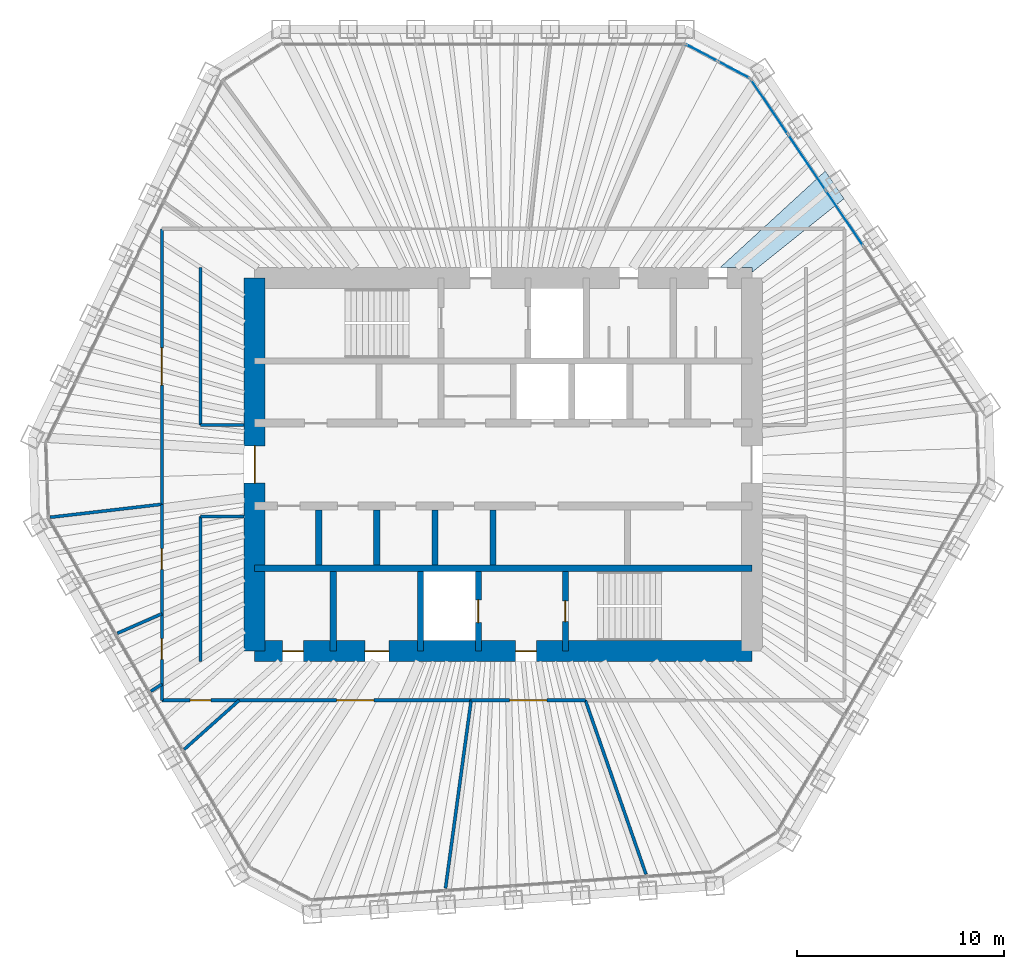
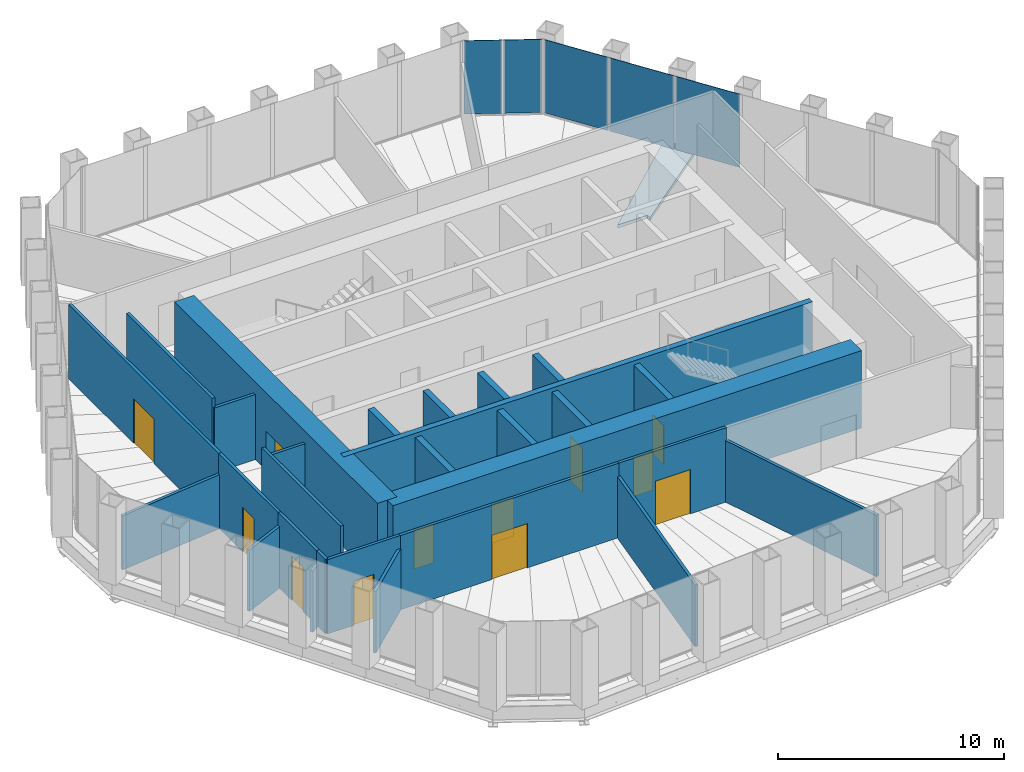
# One storey, part 11 of 14: 28 walls, 12 doors, 5 plates, 1 slab, 12 openings, 2 elements without a shape of their own.
"""IFC4 building model written with IfcOpenShell, lengths in metres."""

import ifcopenshell
import ifcopenshell.guid

model = None  # the IFC model being written
_history = None  # IfcOwnerHistory: only IFC2X3 demands one
_inside = {}  # id of a spatial element -> (the spatial element, [elements in it])
_under = {}  # id of a project, library or spatial element -> (it, [spatial elements below it])
_declared = {}  # id of a project -> (the project, [libraries it declares])
_typed = {}  # id of a type object -> (the type object, [elements of that type])
_made_of = {}  # id of a material, layer set ... -> (it, [elements and type objects made of it])


def new_model(schema):
    """Start an empty IFC model of exactly this schema.

    Asked for "IFC4X3", IfcOpenShell would pick the latest addendum, in which some entities
    have other attributes; the version numbers below select the first issue.
    IFC2X3 requires an IfcOwnerHistory on every rooted entity: one is made here for all.
    """
    global model, _history
    if schema == "IFC4X3":
        model = ifcopenshell.file(schema_version=(4, 3, 0, 0))
    else:
        model = ifcopenshell.file(schema=schema)
    _inside.clear()
    _under.clear()
    _declared.clear()
    _typed.clear()
    _made_of.clear()
    _history = None
    if model.schema == "IFC2X3":
        org = make("IfcOrganization", Name="unknown")
        user = make(
            "IfcPersonAndOrganization",
            ThePerson=make("IfcPerson", FamilyName="unknown"),
            TheOrganization=org,
        )
        app = make(
            "IfcApplication",
            ApplicationDeveloper=org,
            Version="unknown",
            ApplicationFullName="unknown",
            ApplicationIdentifier="unknown",
        )
        _history = make(
            "IfcOwnerHistory",
            OwningUser=user,
            OwningApplication=app,
            ChangeAction="ADDED",
            CreationDate=0,
        )
    return model


def make(cls, **values):
    """One entity of the class cls with the attributes given. An attribute that is None is left unset."""
    return model.create_entity(
        cls, **{name: value for name, value in values.items() if value is not None}
    )


def rooted(cls, **values):
    """An entity with a GlobalId (a new one), such as an element, a storey or a relation."""
    return make(cls, GlobalId=ifcopenshell.guid.new(), OwnerHistory=_history, **values)


def si_unit(unit_type, name, prefix=None):
    """IfcSIUnit, for example si_unit("LENGTHUNIT", "METRE", prefix="MILLI")."""
    return make("IfcSIUnit", UnitType=unit_type, Prefix=prefix, Name=name)


def assignment(units):
    """IfcUnitAssignment: the units of a project."""
    return None if units is None else make("IfcUnitAssignment", Units=units)


def point(xyz):
    """IfcCartesianPoint."""
    return None if xyz is None else make("IfcCartesianPoint", Coordinates=xyz)


def direction(xyz):
    """IfcDirection."""
    return None if xyz is None else make("IfcDirection", DirectionRatios=xyz)


def frame(location, z_axis=None, x_axis=None):
    """IfcAxis2Placement3D, a coordinate frame: its origin and axes. An axis left out is left unset."""
    return make(
        "IfcAxis2Placement3D",
        Location=point(location),
        Axis=direction(z_axis),
        RefDirection=direction(x_axis),
    )


def frame_2d(location, x_axis=None):
    """IfcAxis2Placement2D, a coordinate frame in the plane: its origin and x axis."""
    return make(
        "IfcAxis2Placement2D", Location=point(location), RefDirection=direction(x_axis)
    )


def origin():
    """The frame at (0, 0, 0) with its axes left unset."""
    return frame((0.0, 0.0, 0.0))


def origin_2d():
    """The frame at (0, 0) in the plane with its x axis left unset."""
    return frame_2d((0.0, 0.0))


def place(relative_to, where):
    """IfcLocalPlacement: puts the frame where relative to a parent placement (None: the world)."""
    return make(
        "IfcLocalPlacement", PlacementRelTo=relative_to, RelativePlacement=where
    )


def context(
    kind, dimensions, precision=None, world=None, true_north=None, identifier=None
):
    """IfcGeometricRepresentationContext, for example the 3D "Model" context."""
    return make(
        "IfcGeometricRepresentationContext",
        ContextIdentifier=identifier,
        ContextType=kind,
        CoordinateSpaceDimension=dimensions,
        Precision=precision,
        WorldCoordinateSystem=world,
        TrueNorth=true_north,
    )


def subcontext(parent, identifier, kind, view, scale=None):
    """IfcGeometricRepresentationSubContext, for example "Body" below "Model"."""
    return make(
        "IfcGeometricRepresentationSubContext",
        ContextIdentifier=identifier,
        ContextType=kind,
        ParentContext=parent,
        TargetScale=scale,
        TargetView=view,
    )


def project(units=None, contexts=None):
    """IfcProject with its units and contexts."""
    return rooted(
        "IfcProject",
        Name="project",
        RepresentationContexts=contexts,
        UnitsInContext=assignment(units),
    )


def spatial(cls, under=None, at=None, **own):
    """A site, building, storey or space (cls), placed at a placement, below another one or the project."""
    s = rooted(cls, ObjectPlacement=at, **own)
    if under is not None:
        _under.setdefault(under.id(), (under, []))[1].append(s)
    return s


def polyline(points):
    """IfcPolyline through the points."""
    return make("IfcPolyline", Points=[point(p) for p in points])


def profile(cls, at=None, kind="AREA", **sizes):
    """A parametric profile (cls). Its sizes go by their IFC names, for example OverallWidth=200.0."""
    return make(cls, ProfileType=kind, Position=at, **sizes)


def rectangle(**sizes):
    """IfcRectangleProfileDef."""
    return profile("IfcRectangleProfileDef", **sizes)


def outline(outer, holes=None, kind="AREA"):
    """IfcArbitraryClosedProfileDef: a profile drawn as a closed curve; with holes, ...WithVoids."""
    if holes is None:
        return make("IfcArbitraryClosedProfileDef", ProfileType=kind, OuterCurve=outer)
    return make(
        "IfcArbitraryProfileDefWithVoids",
        ProfileType=kind,
        OuterCurve=outer,
        InnerCurves=holes,
    )


def extrude(swept, where, along, depth):
    """IfcExtrudedAreaSolid: the profile swept, set in the frame where, extruded along a direction by depth."""
    return make(
        "IfcExtrudedAreaSolid",
        SweptArea=swept,
        Position=where,
        ExtrudedDirection=direction(along),
        Depth=depth,
    )


def shape(context_of_items, identifier, shape_type, items):
    """IfcShapeRepresentation: the items that make up one representation, for example the "Body"."""
    return make(
        "IfcShapeRepresentation",
        ContextOfItems=context_of_items,
        RepresentationIdentifier=identifier,
        RepresentationType=shape_type,
        Items=items,
    )


def material(Name=None, Category=None):
    """IfcMaterial."""
    return make("IfcMaterial", Name=Name, Category=Category)


def layer(
    of_material, thickness, ventilated=None, Name=None, Category=None, Priority=None
):
    """IfcMaterialLayer: one layer of a wall or slab, of a material (None: an air gap)."""
    return make(
        "IfcMaterialLayer",
        Material=of_material,
        LayerThickness=thickness,
        IsVentilated=ventilated,
        Name=Name,
        Category=Category,
        Priority=Priority,
    )


def layer_set(layers, Name=None):
    """IfcMaterialLayerSet."""
    return make("IfcMaterialLayerSet", MaterialLayers=layers, LayerSetName=Name)


def made_of(thing, what):
    """Note that an element or type object is made of a material, layer set ...; save() writes the relation."""
    if what is not None:
        _made_of.setdefault(what.id(), (what, []))[1].append(thing)
    return thing


def type_object(cls, material=None, **own):
    """A type object (cls), such as IfcWallType, which elements share."""
    return made_of(rooted(cls, **own), material)


def element(
    cls,
    number,
    at=None,
    inside=None,
    cuts=None,
    type_object=None,
    material=None,
    context=None,
    identifier="Body",
    shape_type=None,
    held_by="IfcProductDefinitionShape",
    body=None,
    shapes=None,
    **own,
):
    """One element of the class cls, such as IfcWall. Its Tag is "e" and its number.

    at: its placement. inside: the storey or other place that contains it. cuts: it is an
    opening in that element (IfcRelVoidsElement). A single representation is given by context,
    identifier, shape_type and body (its items); several are given by shapes. held_by: the class
    of the entity that holds the representations. save() writes the other relations.
    """
    e = rooted(cls, Tag="e%d" % number, ObjectPlacement=at, **own)
    if body is not None:
        shapes = [shape(context, identifier, shape_type, body)]
    if shapes is not None:
        e.Representation = make(held_by, Representations=shapes)
    if inside is not None:
        _inside.setdefault(inside.id(), (inside, []))[1].append(e)
    if cuts is not None:
        rooted(
            "IfcRelVoidsElement", RelatingBuildingElement=cuts, RelatedOpeningElement=e
        )
    if type_object is not None:
        _typed.setdefault(type_object.id(), (type_object, []))[1].append(e)
    return made_of(e, material)


def fill(opening, filler):
    """IfcRelFillsElement: the door or window that sits in an opening."""
    return rooted(
        "IfcRelFillsElement",
        RelatingOpeningElement=opening,
        RelatedBuildingElement=filler,
    )


def aggregate(whole, parts):
    """IfcRelAggregates: a whole, such as a stair, and the parts it consists of."""
    return rooted("IfcRelAggregates", RelatingObject=whole, RelatedObjects=parts)


def save(model, path):
    """Write the relations noted so far, then the file.

    IfcRelAggregates (storeys below a building ...), IfcRelContainedInSpatialStructure (elements
    in a storey), IfcRelDefinesByType, IfcRelAssociatesMaterial and IfcRelDeclares: one each for
    every whole, place, type object, material and project.
    """
    for whole, parts in _under.values():
        aggregate(whole, parts)
    for where, things in _inside.values():
        rooted(
            "IfcRelContainedInSpatialStructure",
            RelatedElements=things,
            RelatingStructure=where,
        )
    for kind, things in _typed.values():
        rooted("IfcRelDefinesByType", RelatedObjects=things, RelatingType=kind)
    for what, things in _made_of.values():
        rooted("IfcRelAssociatesMaterial", RelatedObjects=things, RelatingMaterial=what)
    for by, libraries in _declared.values():
        rooted("IfcRelDeclares", RelatingContext=by, RelatedDefinitions=libraries)
    model.write(path)


model = new_model("IFC4")

# Units and contexts
model_context = context("Model", 3, precision=1e-05, world=origin(), true_north=direction((0.0, 1.0)))
body_context = subcontext(model_context, "Body", "Model", "MODEL_VIEW")
ifc_project = project(units=[si_unit("LENGTHUNIT", "METRE"), si_unit("AREAUNIT", "SQUARE_METRE"), si_unit("VOLUMEUNIT", "CUBIC_METRE"), si_unit("PLANEANGLEUNIT", "RADIAN"), si_unit("MASSUNIT", "GRAM", prefix="KILO")], contexts=[model_context])

# Site, building, storey
site_placement = place(None, origin())
site = spatial("IfcSite", under=ifc_project, at=site_placement, CompositionType="ELEMENT")
building_placement = place(site_placement, origin())
building = spatial("IfcBuilding", under=site, at=building_placement, Name="Qingtian Harvest Tower", CompositionType="ELEMENT")
storey_placement = place(building_placement, frame((0.0, 0.0, 287.199951171875)))
storey = spatial("IfcBuildingStorey", under=building, at=storey_placement, Name="L63", CompositionType="ELEMENT", Elevation=287.199951171875)

# Slab
ifc_material_1 = material(Name="Concrete fc' 35 MPa", Category="concrete")
ifc_layer_1 = layer(ifc_material_1, 0.169921875)
ifc_layer_set_1 = layer_set([ifc_layer_1], Name="Composite floor slab FS17 170")
slab_type = type_object("IfcSlabType", Name="Composite floor slab FS17 170", PredefinedType="FLOOR", material=ifc_layer_set_1)
slab_placement = place(storey_placement, frame((0.0, 0.0, -0.169921875)))
element("IfcSlab", 1, at=slab_placement, inside=storey, type_object=slab_type, Name="Floor slab L63 panel D48", PredefinedType="FLOOR", context=body_context, shape_type="SweptSolid", body=[
    extrude(outline(polyline([(12.0, 9.5), (10.4599609375, 9.5), (15.541259765625, 14.16455078125), (16.44189453125, 12.829345703125), (12.0, 9.2734375), (12.0, 9.5)])), origin(), (0.0, 0.0, 1.0), 0.169921875),
])

# Curtain wall, plates
ifc_material_2 = material(Name="Bronze-anodised aluminium curtain wall", Category="aluminium")
curtain_wall_type = type_object("IfcCurtainWallType", Name="Curtain wall CW5 upper office", PredefinedType="USERDEFINED", material=ifc_material_2)
curtain_wall_1_placement = place(storey_placement, origin())
curtain_wall_1 = element("IfcCurtainWall", 2, at=curtain_wall_1_placement, inside=storey, type_object=curtain_wall_type, Name="Curtain wall CW5 L63 NC", ObjectType="RECESSED CURTAIN WALL", PredefinedType="USERDEFINED")
ifc_material_3 = material(Name="Bronze-tinted laminated insulating glass", Category="glass")
ifc_layer_2 = layer(ifc_material_3, 0.030029296875)
ifc_layer_set_2 = layer_set([ifc_layer_2], Name="Glazed panel CWP tinted IGU")
plate_type = type_object("IfcPlateType", Name="Glazed panel CWP tinted IGU", PredefinedType="CURTAIN_PANEL", material=ifc_layer_set_2)
plate_1_placement = place(storey_placement, frame((9.57080078125, 19.8720703125, 0.06494140625), z_axis=(0.0, 0.0, 1.0), x_axis=(0.882947592859, -0.469471562786, 0.0)))
plate_1 = element("IfcPlate", 3, at=plate_1_placement, type_object=plate_type, Name="CW5 panel 1.1", PredefinedType="CURTAIN_PANEL", context=body_context, shape_type="SweptSolid", body=[
    extrude(rectangle(XDim=1.69287109375, YDim=0.030029296875, at=origin_2d()), origin(), (0.0, 0.0, 1.0), 3.965087890625),
])
plate_2_placement = place(storey_placement, frame((11.122802734375, 19.046875, 0.06494140625), z_axis=(0.0, 0.0, 1.0), x_axis=(0.882947592859, -0.469471562786, 0.0)))
plate_2 = element("IfcPlate", 4, at=plate_2_placement, type_object=plate_type, Name="CW5 panel 2.1", PredefinedType="CURTAIN_PANEL", context=body_context, shape_type="SweptSolid", body=[
    extrude(rectangle(XDim=1.69287109375, YDim=0.030029296875, at=origin_2d()), origin(), (0.0, 0.0, 1.0), 3.965087890625),
])
aggregate(curtain_wall_1, [plate_1, plate_2])

curtain_wall_2_placement = place(storey_placement, origin())
curtain_wall_2 = element("IfcCurtainWall", 5, at=curtain_wall_2_placement, inside=storey, type_object=curtain_wall_type, Name="Curtain wall CW5 L63 NE0-5", ObjectType="RECESSED CURTAIN WALL", PredefinedType="USERDEFINED")
plate_3_placement = place(storey_placement, frame((12.844970703125, 17.259033203125, 0.06494140625), z_axis=(0.0, 0.0, 1.0), x_axis=(0.559192903471, -0.829037572555, 0.0)))
plate_3 = element("IfcPlate", 6, at=plate_3_placement, type_object=plate_type, Name="CW5 panel 1.1", PredefinedType="CURTAIN_PANEL", context=body_context, shape_type="SweptSolid", body=[
    extrude(rectangle(XDim=3.150634765625, YDim=0.030029296875, at=origin_2d()), origin(), (0.0, 0.0, 1.0), 3.965087890625),
])
plate_4_placement = place(storey_placement, frame((14.652099609375, 14.579833984375, 0.06494140625), z_axis=(0.0, 0.0, 1.0), x_axis=(0.559192903471, -0.829037572555, 0.0)))
plate_4 = element("IfcPlate", 7, at=plate_4_placement, type_object=plate_type, Name="CW5 panel 2.1", PredefinedType="CURTAIN_PANEL", context=body_context, shape_type="SweptSolid", body=[
    extrude(rectangle(XDim=3.18310546875, YDim=0.030029296875, at=origin_2d()), origin(), (0.0, 0.0, 1.0), 3.965087890625),
])
plate_5_placement = place(storey_placement, frame((16.46826171875, 11.886962890625, 0.06494140625), z_axis=(0.0, 0.0, 1.0), x_axis=(0.559192903471, -0.829037572555, 0.0)))
plate_5 = element("IfcPlate", 8, at=plate_5_placement, type_object=plate_type, Name="CW5 panel 3.1", PredefinedType="CURTAIN_PANEL", context=body_context, shape_type="SweptSolid", body=[
    extrude(rectangle(XDim=3.18310546875, YDim=0.030029296875, at=origin_2d()), origin(), (0.0, 0.0, 1.0), 3.965087890625),
])
aggregate(curtain_wall_2, [plate_3, plate_4, plate_5])

# Walls
ifc_material_4 = material(Name="Concrete fc' 70 MPa", Category="concrete")
ifc_layer_3 = layer(ifc_material_4, 0.300048828125)
ifc_layer_set_3 = layer_set([ifc_layer_3], Name="Core inner wall RC5 300")
wall_type_1 = type_object("IfcWallType", Name="Core inner wall RC5 300", PredefinedType="SHEAR", material=ifc_layer_set_3)
wall_1_placement = place(storey_placement, frame((-12.0, -5.0, 0.0), z_axis=(0.0, 0.0, 1.0), x_axis=(1.0, 0.0, 0.0)))
element("IfcWall", 9, at=wall_1_placement, inside=storey, type_object=wall_type_1, Name="Core wall IS5 L63", PredefinedType="SHEAR", context=body_context, shape_type="SweptSolid", body=[
    extrude(rectangle(XDim=24.0, YDim=0.300048828125, at=frame_2d((12.0, 0.0))), origin(), (0.0, 0.0, 1.0), 4.199951171875),
])
ifc_material_5 = material(Name="Precast concrete shaft panel", Category="concrete")
ifc_layer_4 = layer(ifc_material_5, 0.300048828125)
ifc_layer_set_4 = layer_set([ifc_layer_4], Name="Core shaft partition SW1 300")
wall_type_2 = type_object("IfcWallType", Name="Core shaft partition SW1 300", PredefinedType="PARTITIONING", material=ifc_layer_set_4)
for number, where, z_axis, x_axis, name in (
    (10, (-8.89990234375, -4.85009765625, 0.0), (0.0, 0.0, 1.0), (0.0, 1.0, 0.0), "Core shaft partition XB1 L63"),
    (11, (-6.10009765625, -4.85009765625, 0.0), (0.0, 0.0, 1.0), (0.0, 1.0, 0.0), "Core shaft partition XB2 L63"),
    (12, (-3.300048828125, -4.85009765625, 0.0), (0.0, 0.0, 1.0), (0.0, 1.0, 0.0), "Core shaft partition XB3 L63"),
    (13, (-0.5, -4.85009765625, 0.0), (0.0, 0.0, 1.0), (0.0, 1.0, 0.0), "Core shaft partition XB4 L63"),
):
    element("IfcWall", number, at=place(storey_placement, frame(where, z_axis=z_axis, x_axis=x_axis)), inside=storey, type_object=wall_type_2, Name=name, PredefinedType="PARTITIONING", context=body_context, shape_type="SweptSolid", body=[
        extrude(rectangle(XDim=2.650146484375, YDim=0.300048828125, at=frame_2d((1.3251953125, 0.0))), origin(), (0.0, 0.0, 1.0), 3.97998046875),
    ])
for number, where, z_axis, x_axis, name in (
    (14, (-8.199951171875, -9.0, 0.0), (0.0, 0.0, 1.0), (0.0, 1.0, 0.0), "Core shaft partition XS1 L63"),
    (15, (-4.0, -9.0, 0.0), (0.0, 0.0, 1.0), (0.0, 1.0, 0.0), "Core shaft partition XS2 L63"),
):
    element("IfcWall", number, at=place(storey_placement, frame(where, z_axis=z_axis, x_axis=x_axis)), inside=storey, type_object=wall_type_2, Name=name, PredefinedType="PARTITIONING", context=body_context, shape_type="SweptSolid", body=[
        extrude(rectangle(XDim=3.85009765625, YDim=0.300048828125, at=frame_2d((1.925048828125, 0.0))), origin(), (0.0, 0.0, 1.0), 3.97998046875),
    ])

# Wall, opening, door
wall_2_placement = place(storey_placement, frame((-1.199951171875, -9.0, 0.0), z_axis=(0.0, 0.0, 1.0), x_axis=(0.0, 1.0, 0.0)))
wall_2 = element("IfcWall", 16, at=wall_2_placement, inside=storey, type_object=wall_type_2, Name="Core shaft partition XS3 L63", PredefinedType="PARTITIONING", context=body_context, shape_type="SweptSolid", body=[
    extrude(rectangle(XDim=3.85009765625, YDim=0.300048828125, at=frame_2d((1.925048828125, 0.0))), origin(), (0.0, 0.0, 1.0), 3.97998046875),
])
opening_1_placement = place(wall_2_placement, frame((1.375, 0.0, 0.0)))
opening_1 = element("IfcOpeningElement", 17, at=opening_1_placement, cuts=wall_2, Name="Opening LD1", PredefinedType="OPENING", context=body_context, shape_type="SweptSolid", body=[
    extrude(rectangle(XDim=1.10009765625, YDim=2.39990234375, at=frame_2d((0.550048828125, 1.199951171875))), frame((0.0, 0.159912109375, 0.0), z_axis=(0.0, -1.0, 0.0), x_axis=(1.0, 0.0, 0.0)), (0.0, 0.0, 1.0), 0.320068359375),
])
ifc_material_6 = material(Name="Stainless steel lift landing door", Category="steel")
door_type_1 = type_object("IfcDoorType", Name="Lift landing door LD1 1 HR", OperationType="DOUBLE_DOOR_SLIDING", PredefinedType="DOOR", material=ifc_material_6)
door_1_placement = place(opening_1_placement, origin())
door_1 = element("IfcDoor", 18, at=door_1_placement, inside=storey, type_object=door_type_1, Name="FL2 landing door L63", OperationType="DOUBLE_DOOR_SLIDING", OverallHeight=2.39990234375, OverallWidth=1.10009765625, PredefinedType="DOOR", context=body_context, shape_type="SweptSolid", body=[
    extrude(rectangle(XDim=1.10009765625, YDim=2.39990234375, at=frame_2d((0.550048828125, 1.199951171875))), frame((0.0, 0.02490234375, 0.0), z_axis=(0.0, -1.0, 0.0), x_axis=(1.0, 0.0, 0.0)), (0.0, 0.0, 1.0), 0.050048828125),
])
fill(opening_1, door_1)

wall_3_placement = place(storey_placement, frame((3.0, -9.0, 0.0), z_axis=(0.0, 0.0, 1.0), x_axis=(0.0, 1.0, 0.0)))
wall_3 = element("IfcWall", 19, at=wall_3_placement, inside=storey, type_object=wall_type_2, Name="Core shaft partition XS4 L63", PredefinedType="PARTITIONING", context=body_context, shape_type="SweptSolid", body=[
    extrude(rectangle(XDim=3.85009765625, YDim=0.300048828125, at=frame_2d((1.925048828125, 0.0))), origin(), (0.0, 0.0, 1.0), 3.97998046875),
])
opening_2_placement = place(wall_3_placement, frame((1.425048828125, 0.0, 0.0)))
opening_2 = element("IfcOpeningElement", 20, at=opening_2_placement, cuts=wall_3, Name="Opening FD1", PredefinedType="OPENING", context=body_context, shape_type="SweptSolid", body=[
    extrude(rectangle(XDim=1.0, YDim=2.10009765625, at=frame_2d((0.5, 1.050048828125))), frame((0.0, 0.159912109375, 0.0), z_axis=(0.0, -1.0, 0.0), x_axis=(1.0, 0.0, 0.0)), (0.0, 0.0, 1.0), 0.320068359375),
])
ifc_material_7 = material(Name="Steel-faced door leaf", Category="steel")
door_type_2 = type_object("IfcDoorType", Name="Fire door FD1 single 1 HR", OperationType="SINGLE_SWING_LEFT", PredefinedType="DOOR", material=ifc_material_7)
door_2_placement = place(opening_2_placement, origin())
door_2 = element("IfcDoor", 21, at=door_2_placement, inside=storey, type_object=door_type_2, Name="S2 door L63", OperationType="SINGLE_SWING_LEFT", OverallHeight=2.10009765625, OverallWidth=1.0, PredefinedType="DOOR", context=body_context, shape_type="SweptSolid", body=[
    extrude(rectangle(XDim=1.0, YDim=2.10009765625, at=frame_2d((0.5, 1.050048828125))), frame((0.0, 0.02490234375, 0.0), z_axis=(0.0, -1.0, 0.0), x_axis=(1.0, 0.0, 0.0)), (0.0, 0.0, 1.0), 0.050048828125),
])
fill(opening_2, door_2)

# Wall, openings, doors
ifc_material_8 = material(Name="Concrete fc' 70 MPa", Category="concrete")
ifc_layer_5 = layer(ifc_material_8, 1.0)
ifc_layer_set_5 = layer_set([ifc_layer_5], Name="Core wall RC3 1000")
wall_type_3 = type_object("IfcWallType", Name="Core wall RC3 1000", PredefinedType="SHEAR", material=ifc_layer_set_5)
wall_4_placement = place(storey_placement, frame((-12.0, -9.0, 0.0), z_axis=(0.0, 0.0, 1.0), x_axis=(1.0, 0.0, 0.0)))
wall_4 = element("IfcWall", 22, at=wall_4_placement, inside=storey, type_object=wall_type_3, Name="Core wall CS L63", PredefinedType="SHEAR", context=body_context, shape_type="SweptSolid", body=[
    extrude(rectangle(XDim=24.0, YDim=1.0, at=frame_2d((12.0, 0.0))), origin(), (0.0, 0.0, 1.0), 4.199951171875),
])
opening_3_placement = place(wall_4_placement, frame((1.35009765625, 0.0, 0.0)))
opening_3 = element("IfcOpeningElement", 23, at=opening_3_placement, cuts=wall_4, Name="Opening FD1", PredefinedType="OPENING", context=body_context, shape_type="SweptSolid", body=[
    extrude(rectangle(XDim=1.0, YDim=2.10009765625, at=frame_2d((0.5, 1.050048828125))), frame((0.0, 0.510009765625, 0.0), z_axis=(0.0, -1.0, 0.0), x_axis=(1.0, 0.0, 0.0)), (0.0, 0.0, 1.0), 1.02001953125),
])
opening_4_placement = place(wall_4_placement, frame((5.324951171875, 0.0, 0.0)))
opening_4 = element("IfcOpeningElement", 24, at=opening_4_placement, cuts=wall_4, Name="Opening AD1", PredefinedType="OPENING", context=body_context, shape_type="SweptSolid", body=[
    extrude(rectangle(XDim=1.14990234375, YDim=2.10009765625, at=frame_2d((0.574951171875, 1.050048828125))), frame((0.0, 0.510009765625, 0.0), z_axis=(0.0, -1.0, 0.0), x_axis=(1.0, 0.0, 0.0)), (0.0, 0.0, 1.0), 1.02001953125),
])
opening_5_placement = place(wall_4_placement, frame((12.60009765625, 0.0, 0.0)))
opening_5 = element("IfcOpeningElement", 25, at=opening_5_placement, cuts=wall_4, Name="Opening FD1", PredefinedType="OPENING", context=body_context, shape_type="SweptSolid", body=[
    extrude(rectangle(XDim=1.0, YDim=2.10009765625, at=frame_2d((0.5, 1.050048828125))), frame((0.0, 0.510009765625, 0.0), z_axis=(0.0, -1.0, 0.0), x_axis=(1.0, 0.0, 0.0)), (0.0, 0.0, 1.0), 1.02001953125),
])
ifc_material_9 = material(Name="Laminated timber door leaf", Category="wood")
door_type_3 = type_object("IfcDoorType", Name="Accessible WC door AD1 single", OperationType="SINGLE_SWING_LEFT", PredefinedType="DOOR", material=ifc_material_9)
door_3_placement = place(opening_4_placement, origin())
door_3 = element("IfcDoor", 26, at=door_3_placement, inside=storey, type_object=door_type_3, Name="AWC door L63", OperationType="SINGLE_SWING_RIGHT", OverallHeight=2.10009765625, OverallWidth=1.14990234375, PredefinedType="DOOR", context=body_context, shape_type="SweptSolid", body=[
    extrude(rectangle(XDim=1.14990234375, YDim=2.10009765625, at=frame_2d((0.574951171875, 1.050048828125))), frame((0.0, 0.02490234375, 0.0), z_axis=(0.0, -1.0, 0.0), x_axis=(1.0, 0.0, 0.0)), (0.0, 0.0, 1.0), 0.050048828125),
])
fill(opening_4, door_3)
door_4_placement = place(opening_3_placement, origin())
door_4 = element("IfcDoor", 27, at=door_4_placement, inside=storey, type_object=door_type_2, Name="CLN door L63", OperationType="SINGLE_SWING_LEFT", OverallHeight=2.10009765625, OverallWidth=1.0, PredefinedType="DOOR", context=body_context, shape_type="SweptSolid", body=[
    extrude(rectangle(XDim=1.0, YDim=2.10009765625, at=frame_2d((0.5, 1.050048828125))), frame((0.0, 0.02490234375, 0.0), z_axis=(0.0, -1.0, 0.0), x_axis=(1.0, 0.0, 0.0)), (0.0, 0.0, 1.0), 0.050048828125),
])
fill(opening_3, door_4)
door_5_placement = place(opening_5_placement, origin())
door_5 = element("IfcDoor", 28, at=door_5_placement, inside=storey, type_object=door_type_2, Name="V2 door L63", OperationType="SINGLE_SWING_LEFT", OverallHeight=2.10009765625, OverallWidth=1.0, PredefinedType="DOOR", context=body_context, shape_type="SweptSolid", body=[
    extrude(rectangle(XDim=1.0, YDim=2.10009765625, at=frame_2d((0.5, 1.050048828125))), frame((0.0, 0.02490234375, 0.0), z_axis=(0.0, -1.0, 0.0), x_axis=(1.0, 0.0, 0.0)), (0.0, 0.0, 1.0), 0.050048828125),
])
fill(opening_5, door_5)

# Wall, opening, door
wall_5_placement = place(storey_placement, frame((-12.0, -9.0, 0.0), z_axis=(0.0, 0.0, 1.0), x_axis=(0.0, 1.0, 0.0)))
wall_5 = element("IfcWall", 29, at=wall_5_placement, inside=storey, type_object=wall_type_3, Name="Core wall CW L63", PredefinedType="SHEAR", context=body_context, shape_type="SweptSolid", body=[
    extrude(rectangle(XDim=18.0, YDim=1.0, at=frame_2d((9.0, 0.0))), origin(), (0.0, 0.0, 1.0), 4.199951171875),
])
opening_6_placement = place(wall_5_placement, frame((8.10009765625, 0.0, 0.0)))
opening_6 = element("IfcOpeningElement", 30, at=opening_6_placement, cuts=wall_5, Name="Opening FD2", PredefinedType="OPENING", context=body_context, shape_type="SweptSolid", body=[
    extrude(rectangle(XDim=1.800048828125, YDim=2.10009765625, at=frame_2d((0.89990234375, 1.050048828125))), frame((0.0, 0.510009765625, 0.0), z_axis=(0.0, -1.0, 0.0), x_axis=(1.0, 0.0, 0.0)), (0.0, 0.0, 1.0), 1.02001953125),
])
ifc_material_10 = material(Name="Steel-faced door leaf", Category="steel")
door_type_4 = type_object("IfcDoorType", Name="Fire door FD2 double 1 HR", OperationType="DOUBLE_DOOR_DOUBLE_SWING", PredefinedType="DOOR", material=ifc_material_10)
door_6_placement = place(opening_6_placement, origin())
door_6 = element("IfcDoor", 31, at=door_6_placement, inside=storey, type_object=door_type_4, Name="LOBBY-W door L63", OperationType="DOUBLE_DOOR_DOUBLE_SWING", OverallHeight=2.10009765625, OverallWidth=1.800048828125, PredefinedType="DOOR", context=body_context, shape_type="SweptSolid", body=[
    extrude(rectangle(XDim=1.800048828125, YDim=2.10009765625, at=frame_2d((0.89990234375, 1.050048828125))), frame((0.0, 0.02490234375, 0.0), z_axis=(0.0, -1.0, 0.0), x_axis=(1.0, 0.0, 0.0)), (0.0, 0.0, 1.0), 0.050048828125),
])
fill(opening_6, door_6)

# Wall
ifc_material_11 = material(Name="Gypsum board on steel studs", Category="steel")
ifc_layer_6 = layer(ifc_material_11, 0.14990234375)
ifc_layer_set_6 = layer_set([ifc_layer_6], Name="Partition PT1 150")
wall_type_4 = type_object("IfcWallType", Name="Partition PT1 150", PredefinedType="PARTITIONING", material=ifc_layer_set_6)
wall_6_placement = place(storey_placement, frame((6.8876953125, -19.771240234375, 0.0), z_axis=(0.0, 0.0, 1.0), x_axis=(-0.328983865825, 0.944335542075, 0.0)))
element("IfcWall", 32, at=wall_6_placement, inside=storey, type_object=wall_type_4, Name="Test kitchen wall L63", PredefinedType="PARTITIONING", context=body_context, shape_type="SweptSolid", body=[
    extrude(rectangle(XDim=8.89111328125, YDim=0.14990234375, at=frame_2d((4.445556640625, 0.0))), origin(), (0.0, 0.0, 1.0), 3.330078125),
])

# Wall, opening, door
wall_7_placement = place(storey_placement, frame((3.962646484375, -11.375, 0.0), z_axis=(0.0, 0.0, 1.0), x_axis=(-1.0, 0.0, 0.0)))
wall_7 = element("IfcWall", 33, at=wall_7_placement, inside=storey, type_object=wall_type_4, Name="Test kitchen wall L63", PredefinedType="PARTITIONING", context=body_context, shape_type="SweptSolid", body=[
    extrude(rectangle(XDim=5.5126953125, YDim=0.14990234375, at=frame_2d((2.75634765625, 0.0))), origin(), (0.0, 0.0, 1.0), 4.030029296875),
])
opening_7_placement = place(wall_7_placement, frame((1.8564453125, 0.0, 0.0)))
opening_7 = element("IfcOpeningElement", 34, at=opening_7_placement, cuts=wall_7, Name="Opening D3", PredefinedType="OPENING", context=body_context, shape_type="SweptSolid", body=[
    extrude(rectangle(XDim=1.800048828125, YDim=2.39990234375, at=frame_2d((0.89990234375, 1.199951171875))), frame((0.0, 0.0849609375, 0.0), z_axis=(0.0, -1.0, 0.0), x_axis=(1.0, 0.0, 0.0)), (0.0, 0.0, 1.0), 0.169921875),
])
ifc_material_12 = material(Name="Laminated timber door leaf", Category="wood")
door_type_5 = type_object("IfcDoorType", Name="Room door D3 double", OperationType="DOUBLE_DOOR_DOUBLE_SWING", PredefinedType="DOOR", material=ifc_material_12)
door_7_placement = place(opening_7_placement, origin())
door_7 = element("IfcDoor", 35, at=door_7_placement, inside=storey, type_object=door_type_5, Name="Test kitchen door L63", OperationType="DOUBLE_DOOR_DOUBLE_SWING", OverallHeight=2.39990234375, OverallWidth=1.800048828125, PredefinedType="DOOR", context=body_context, shape_type="SweptSolid", body=[
    extrude(rectangle(XDim=1.800048828125, YDim=2.39990234375, at=frame_2d((0.89990234375, 1.199951171875))), frame((0.0, 0.02490234375, 0.0), z_axis=(0.0, -1.0, 0.0), x_axis=(1.0, 0.0, 0.0)), (0.0, 0.0, 1.0), 0.050048828125),
])
fill(opening_7, door_7)

# Wall
wall_8_placement = place(storey_placement, frame((-2.786376953125, -20.4462890625, 0.0), z_axis=(0.0, 0.0, 1.0), x_axis=(0.135041803834, 0.99083990191, 0.0)))
element("IfcWall", 36, at=wall_8_placement, inside=storey, type_object=wall_type_4, Name="Workplace zone wall L63", PredefinedType="PARTITIONING", context=body_context, shape_type="SweptSolid", body=[
    extrude(rectangle(XDim=9.155029296875, YDim=0.14990234375, at=frame_2d((4.57763671875, 0.0))), origin(), (0.0, 0.0, 1.0), 3.330078125),
])

# Wall, opening, door
wall_9_placement = place(storey_placement, frame((-1.550048828125, -11.375, 0.0), z_axis=(0.0, 0.0, 1.0), x_axis=(-1.0, 0.0, 0.0)))
wall_9 = element("IfcWall", 37, at=wall_9_placement, inside=storey, type_object=wall_type_4, Name="Workplace zone wall L63", PredefinedType="PARTITIONING", context=body_context, shape_type="SweptSolid", body=[
    extrude(rectangle(XDim=11.18994140625, YDim=0.14990234375, at=frame_2d((5.594970703125, 0.0))), origin(), (0.0, 0.0, 1.0), 4.030029296875),
])
opening_8_placement = place(wall_9_placement, frame((4.69482421875, 0.0, 0.0)))
opening_8 = element("IfcOpeningElement", 38, at=opening_8_placement, cuts=wall_9, Name="Opening D3", PredefinedType="OPENING", context=body_context, shape_type="SweptSolid", body=[
    extrude(rectangle(XDim=1.800048828125, YDim=2.39990234375, at=frame_2d((0.89990234375, 1.199951171875))), frame((0.0, 0.0849609375, 0.0), z_axis=(0.0, -1.0, 0.0), x_axis=(1.0, 0.0, 0.0)), (0.0, 0.0, 1.0), 0.169921875),
])
door_8_placement = place(opening_8_placement, origin())
door_8 = element("IfcDoor", 39, at=door_8_placement, inside=storey, type_object=door_type_5, Name="Workplace zone door L63", OperationType="DOUBLE_DOOR_DOUBLE_SWING", OverallHeight=2.39990234375, OverallWidth=1.800048828125, PredefinedType="DOOR", context=body_context, shape_type="SweptSolid", body=[
    extrude(rectangle(XDim=1.800048828125, YDim=2.39990234375, at=frame_2d((0.89990234375, 1.199951171875))), frame((0.0, 0.02490234375, 0.0), z_axis=(0.0, -1.0, 0.0), x_axis=(1.0, 0.0, 0.0)), (0.0, 0.0, 1.0), 0.050048828125),
])
fill(opening_8, door_8)

# Wall
wall_10_placement = place(storey_placement, frame((-15.392578125, -13.743408203125, 0.0), z_axis=(0.0, 0.0, 1.0), x_axis=(0.745934007174, 0.666019862273, 0.0)))
element("IfcWall", 40, at=wall_10_placement, inside=storey, type_object=wall_type_4, Name="Print room wall L63", PredefinedType="PARTITIONING", context=body_context, shape_type="SweptSolid", body=[
    extrude(rectangle(XDim=3.55615234375, YDim=0.14990234375, at=frame_2d((1.778076171875, 0.0))), origin(), (0.0, 0.0, 1.0), 3.330078125),
])

# Wall, opening, door
wall_11_placement = place(storey_placement, frame((-12.739990234375, -11.375, 0.0), z_axis=(0.0, 0.0, 1.0), x_axis=(-1.0, 0.0, 0.0)))
wall_11 = element("IfcWall", 41, at=wall_11_placement, inside=storey, type_object=wall_type_4, Name="Print room wall L63", PredefinedType="PARTITIONING", context=body_context, shape_type="SweptSolid", body=[
    extrude(rectangle(XDim=3.735107421875, YDim=0.14990234375, at=frame_2d((1.86767578125, 0.0))), origin(), (0.0, 0.0, 1.0), 4.030029296875),
])
opening_9_placement = place(wall_11_placement, frame((1.367431640625, 0.0, 0.0)))
opening_9 = element("IfcOpeningElement", 42, at=opening_9_placement, cuts=wall_11, Name="Opening D2", PredefinedType="OPENING", context=body_context, shape_type="SweptSolid", body=[
    extrude(rectangle(XDim=1.0, YDim=2.39990234375, at=frame_2d((0.5, 1.199951171875))), frame((0.0, 0.0849609375, 0.0), z_axis=(0.0, -1.0, 0.0), x_axis=(1.0, 0.0, 0.0)), (0.0, 0.0, 1.0), 0.169921875),
])
ifc_material_13 = material(Name="Laminated timber door leaf", Category="wood")
door_type_6 = type_object("IfcDoorType", Name="Room door D2 single", OperationType="SINGLE_SWING_LEFT", PredefinedType="DOOR", material=ifc_material_13)
door_9_placement = place(opening_9_placement, origin())
door_9 = element("IfcDoor", 43, at=door_9_placement, inside=storey, type_object=door_type_6, Name="Print room door L63", OperationType="SINGLE_SWING_RIGHT", OverallHeight=2.39990234375, OverallWidth=1.0, PredefinedType="DOOR", context=body_context, shape_type="SweptSolid", body=[
    extrude(rectangle(XDim=1.0, YDim=2.39990234375, at=frame_2d((0.5, 1.199951171875))), frame((0.0, 0.02490234375, 0.0), z_axis=(0.0, -1.0, 0.0), x_axis=(1.0, 0.0, 0.0)), (0.0, 0.0, 1.0), 0.050048828125),
])
fill(opening_9, door_9)

# Walls
wall_12_placement = place(storey_placement, frame((-16.47509765625, -11.375, 0.0), z_axis=(0.0, 0.0, 1.0), x_axis=(0.0, 1.0, 0.0)))
element("IfcWall", 44, at=wall_12_placement, inside=storey, type_object=wall_type_4, Name="Print room wall L63", PredefinedType="PARTITIONING", context=body_context, shape_type="SweptSolid", body=[
    extrude(rectangle(XDim=0.7744140625, YDim=0.14990234375, at=frame_2d((0.38720703125, 0.0))), origin(), (0.0, 0.0, 1.0), 4.030029296875),
])
wall_13_placement = place(storey_placement, frame((-17.007080078125, -10.943115234375, 0.0), z_axis=(0.0, 0.0, 1.0), x_axis=(0.840789611822, 0.541362012568, 0.0)))
element("IfcWall", 45, at=wall_13_placement, inside=storey, type_object=wall_type_4, Name="Store room wall L63", PredefinedType="PARTITIONING", context=body_context, shape_type="SweptSolid", body=[
    extrude(rectangle(XDim=0.6328125, YDim=0.14990234375, at=frame_2d((0.31640625, 0.0))), origin(), (0.0, 0.0, 1.0), 3.330078125),
])

# Wall, opening, door
wall_14_placement = place(storey_placement, frame((-16.47509765625, -10.6005859375, 0.0), z_axis=(0.0, 0.0, 1.0), x_axis=(0.0, 1.0, 0.0)))
wall_14 = element("IfcWall", 46, at=wall_14_placement, inside=storey, type_object=wall_type_4, Name="Store room wall L63", PredefinedType="PARTITIONING", context=body_context, shape_type="SweptSolid", body=[
    extrude(rectangle(XDim=3.39599609375, YDim=0.14990234375, at=frame_2d((1.697998046875, 0.0))), origin(), (0.0, 0.0, 1.0), 4.030029296875),
])
opening_10_placement = place(wall_14_placement, frame((1.197998046875, 0.0, 0.0)))
opening_10 = element("IfcOpeningElement", 47, at=opening_10_placement, cuts=wall_14, Name="Opening D2", PredefinedType="OPENING", context=body_context, shape_type="SweptSolid", body=[
    extrude(rectangle(XDim=1.0, YDim=2.39990234375, at=frame_2d((0.5, 1.199951171875))), frame((0.0, 0.0849609375, 0.0), z_axis=(0.0, -1.0, 0.0), x_axis=(1.0, 0.0, 0.0)), (0.0, 0.0, 1.0), 0.169921875),
])
door_10_placement = place(opening_10_placement, origin())
door_10 = element("IfcDoor", 48, at=door_10_placement, inside=storey, type_object=door_type_6, Name="Store room door L63", OperationType="SINGLE_SWING_LEFT", OverallHeight=2.39990234375, OverallWidth=1.0, PredefinedType="DOOR", context=body_context, shape_type="SweptSolid", body=[
    extrude(rectangle(XDim=1.0, YDim=2.39990234375, at=frame_2d((0.5, 1.199951171875))), frame((0.0, 0.02490234375, 0.0), z_axis=(0.0, -1.0, 0.0), x_axis=(1.0, 0.0, 0.0)), (0.0, 0.0, 1.0), 0.050048828125),
])
fill(opening_10, door_10)

# Wall
wall_15_placement = place(storey_placement, frame((-18.62353515625, -8.144287109375, 0.0), z_axis=(0.0, 0.0, 1.0), x_axis=(0.916195562442, 0.400731445436, 0.0)))
element("IfcWall", 49, at=wall_15_placement, inside=storey, type_object=wall_type_4, Name="Pantry wall L63", PredefinedType="PARTITIONING", context=body_context, shape_type="SweptSolid", body=[
    extrude(rectangle(XDim=2.344970703125, YDim=0.14990234375, at=frame_2d((1.17236328125, 0.0))), origin(), (0.0, 0.0, 1.0), 3.330078125),
])

# Wall, opening, door
wall_16_placement = place(storey_placement, frame((-16.47509765625, -7.20458984375, 0.0), z_axis=(0.0, 0.0, 1.0), x_axis=(0.0, 1.0, 0.0)))
wall_16 = element("IfcWall", 50, at=wall_16_placement, inside=storey, type_object=wall_type_4, Name="Pantry wall L63", PredefinedType="PARTITIONING", context=body_context, shape_type="SweptSolid", body=[
    extrude(rectangle(XDim=5.285400390625, YDim=0.14990234375, at=frame_2d((2.642578125, 0.0))), origin(), (0.0, 0.0, 1.0), 4.030029296875),
])
opening_11_placement = place(wall_16_placement, frame((2.142822265625, 0.0, 0.0)))
opening_11 = element("IfcOpeningElement", 51, at=opening_11_placement, cuts=wall_16, Name="Opening D2", PredefinedType="OPENING", context=body_context, shape_type="SweptSolid", body=[
    extrude(rectangle(XDim=1.0, YDim=2.39990234375, at=frame_2d((0.5, 1.199951171875))), frame((0.0, 0.0849609375, 0.0), z_axis=(0.0, -1.0, 0.0), x_axis=(1.0, 0.0, 0.0)), (0.0, 0.0, 1.0), 0.169921875),
])
door_11_placement = place(opening_11_placement, origin())
door_11 = element("IfcDoor", 52, at=door_11_placement, inside=storey, type_object=door_type_6, Name="Pantry door L63", OperationType="SINGLE_SWING_LEFT", OverallHeight=2.39990234375, OverallWidth=1.0, PredefinedType="DOOR", context=body_context, shape_type="SweptSolid", body=[
    extrude(rectangle(XDim=1.0, YDim=2.39990234375, at=frame_2d((0.5, 1.199951171875))), frame((0.0, 0.02490234375, 0.0), z_axis=(0.0, -1.0, 0.0), x_axis=(1.0, 0.0, 0.0)), (0.0, 0.0, 1.0), 0.050048828125),
])
fill(opening_11, door_11)

# Wall
wall_17_placement = place(storey_placement, frame((-21.864013671875, -2.546875, 0.0), z_axis=(0.0, 0.0, 1.0), x_axis=(0.993284789299, 0.115694975458, 0.0)))
element("IfcWall", 53, at=wall_17_placement, inside=storey, type_object=wall_type_4, Name="Meeting room wall L63", PredefinedType="PARTITIONING", context=body_context, shape_type="SweptSolid", body=[
    extrude(rectangle(XDim=5.42529296875, YDim=0.14990234375, at=frame_2d((2.712646484375, 0.0))), origin(), (0.0, 0.0, 1.0), 2.929931640625),
])

# Wall, opening, door
wall_18_placement = place(storey_placement, frame((-16.47509765625, -1.919189453125, 0.0), z_axis=(0.0, 0.0, 1.0), x_axis=(0.0, 1.0, 0.0)))
wall_18 = element("IfcWall", 54, at=wall_18_placement, inside=storey, type_object=wall_type_4, Name="Meeting room wall L63", PredefinedType="PARTITIONING", context=body_context, shape_type="SweptSolid", body=[
    extrude(rectangle(XDim=13.294189453125, YDim=0.14990234375, at=frame_2d((6.64697265625, 0.0))), origin(), (0.0, 0.0, 1.0), 4.030029296875),
])
opening_12_placement = place(wall_18_placement, frame((5.7470703125, 0.0, 0.0)))
opening_12 = element("IfcOpeningElement", 55, at=opening_12_placement, cuts=wall_18, Name="Opening D3", PredefinedType="OPENING", context=body_context, shape_type="SweptSolid", body=[
    extrude(rectangle(XDim=1.800048828125, YDim=2.39990234375, at=frame_2d((0.89990234375, 1.199951171875))), frame((0.0, 0.0849609375, 0.0), z_axis=(0.0, -1.0, 0.0), x_axis=(1.0, 0.0, 0.0)), (0.0, 0.0, 1.0), 0.169921875),
])
door_12_placement = place(opening_12_placement, origin())
door_12 = element("IfcDoor", 56, at=door_12_placement, inside=storey, type_object=door_type_5, Name="Meeting room door L63", OperationType="DOUBLE_DOOR_DOUBLE_SWING", OverallHeight=2.39990234375, OverallWidth=1.800048828125, PredefinedType="DOOR", context=body_context, shape_type="SweptSolid", body=[
    extrude(rectangle(XDim=1.800048828125, YDim=2.39990234375, at=frame_2d((0.89990234375, 1.199951171875))), frame((0.0, 0.02490234375, 0.0), z_axis=(0.0, -1.0, 0.0), x_axis=(1.0, 0.0, 0.0)), (0.0, 0.0, 1.0), 0.050048828125),
])
fill(opening_12, door_12)

# Walls
wall_19_placement = place(storey_placement, frame((-14.60009765625, 1.89990234375, 0.0), z_axis=(0.0, 0.0, 1.0), x_axis=(0.0, 1.0, 0.0)))
element("IfcWall", 57, at=wall_19_placement, inside=storey, type_object=wall_type_4, Name="Breakout space wall L63", PredefinedType="PARTITIONING", context=body_context, shape_type="SweptSolid", body=[
    extrude(rectangle(XDim=7.60009765625, YDim=0.14990234375, at=frame_2d((3.800048828125, 0.0))), origin(), (0.0, 0.0, 1.0), 4.030029296875),
])
wall_20_placement = place(storey_placement, frame((-12.5, 1.89990234375, 0.0), z_axis=(0.0, 0.0, 1.0), x_axis=(-1.0, 0.0, 0.0)))
element("IfcWall", 58, at=wall_20_placement, inside=storey, type_object=wall_type_4, Name="Breakout space wall L63", PredefinedType="PARTITIONING", context=body_context, shape_type="SweptSolid", body=[
    extrude(rectangle(XDim=2.10009765625, YDim=0.14990234375, at=frame_2d((1.050048828125, 0.0))), origin(), (0.0, 0.0, 1.0), 3.530029296875),
])
wall_21_placement = place(storey_placement, frame((-14.60009765625, -9.5, 0.0), z_axis=(0.0, 0.0, 1.0), x_axis=(0.0, 1.0, 0.0)))
element("IfcWall", 59, at=wall_21_placement, inside=storey, type_object=wall_type_4, Name="Reading area wall L63", PredefinedType="PARTITIONING", context=body_context, shape_type="SweptSolid", body=[
    extrude(rectangle(XDim=7.0, YDim=0.14990234375, at=frame_2d((3.5, 0.0))), origin(), (0.0, 0.0, 1.0), 4.030029296875),
])
wall_22_placement = place(storey_placement, frame((-12.5, -2.5, 0.0), z_axis=(0.0, 0.0, 1.0), x_axis=(-1.0, 0.0, 0.0)))
element("IfcWall", 60, at=wall_22_placement, inside=storey, type_object=wall_type_4, Name="Reading area wall L63", PredefinedType="PARTITIONING", context=body_context, shape_type="SweptSolid", body=[
    extrude(rectangle(XDim=2.10009765625, YDim=0.14990234375, at=frame_2d((1.050048828125, 0.0))), origin(), (0.0, 0.0, 1.0), 3.530029296875),
])

save(model, "model.ifc")
